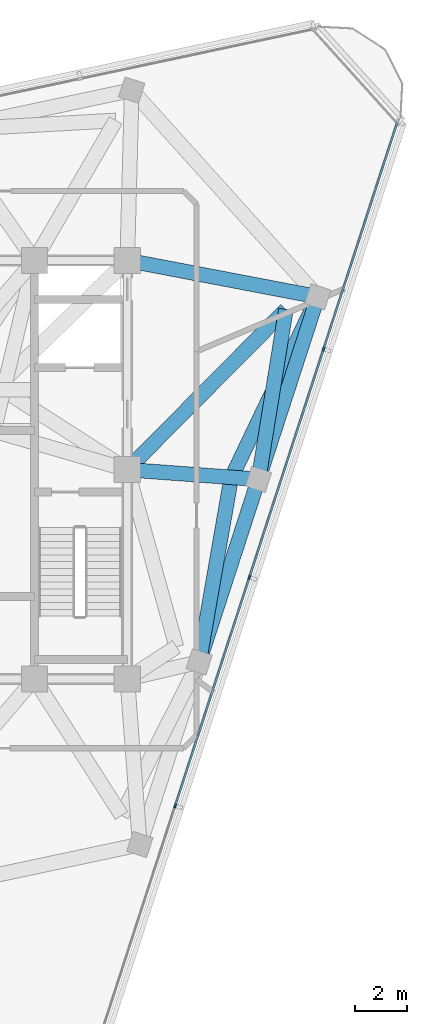
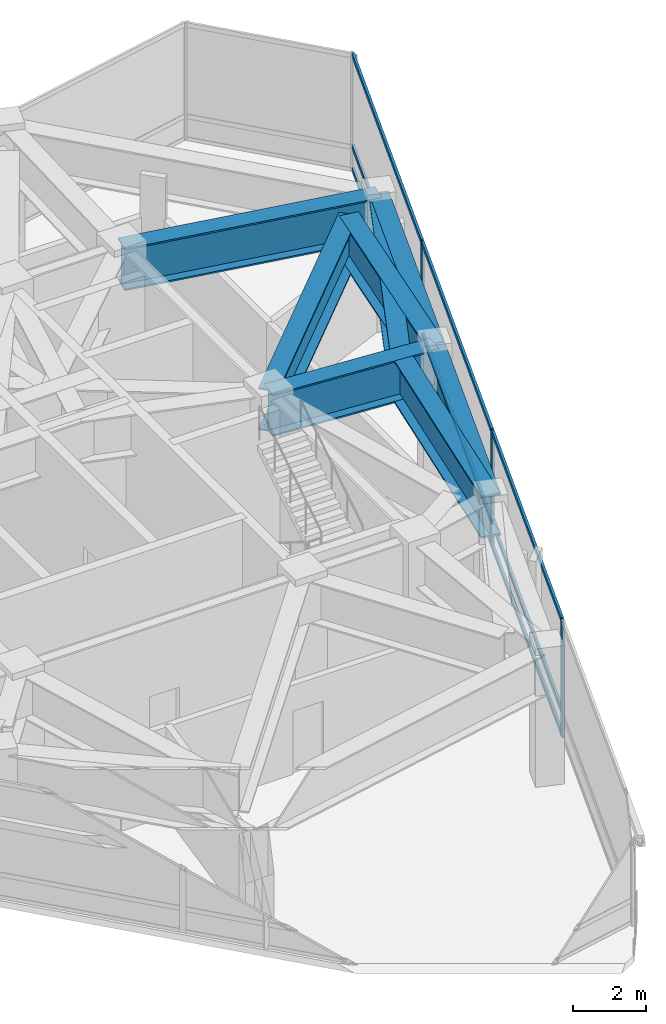
# One storey, part 4 of 10: 12 members, 8 beams, 1 element without a shape of its own.
"""IFC4 building model written with IfcOpenShell, lengths in metres."""

from ifc_helpers import new_model, si_unit, direction, frame, origin, origin_2d, place, context, subcontext, project, spatial, rectangle, i_section, extrude, material, layer, layer_set, material_profile, profile_set, type_object, element, aggregate, save


model = new_model("IFC4")

# Units and contexts
model_context = context("Model", 3, precision=1e-05, world=origin(), true_north=direction((0.0, 1.0)))
body_context = subcontext(model_context, "Body", "Model", "MODEL_VIEW")
ifc_project = project(units=[si_unit("LENGTHUNIT", "METRE"), si_unit("AREAUNIT", "SQUARE_METRE"), si_unit("VOLUMEUNIT", "CUBIC_METRE"), si_unit("PLANEANGLEUNIT", "RADIAN"), si_unit("MASSUNIT", "GRAM", prefix="KILO")], contexts=[model_context])

# Site, building, storey
site_placement = place(None, origin())
site = spatial("IfcSite", under=ifc_project, at=site_placement, CompositionType="ELEMENT")
building_placement = place(site_placement, origin())
building = spatial("IfcBuilding", under=site, at=building_placement, Name="Terralouvre Media Tower", CompositionType="ELEMENT")
storey_placement = place(building_placement, frame((0.0, 0.0, 317.39990234375)))
storey = spatial("IfcBuildingStorey", under=building, at=storey_placement, Name="L82", CompositionType="ELEMENT", Elevation=317.39990234375)

# Curtain wall, members
ifc_material_1 = material(Name="Low-iron laminated double glazing with solar-control coating", Category="glass")
ifc_layer = layer(ifc_material_1, 0.1650390625, Name="Faceted Glass-Point Crown Curtain Wall CW-06")
ifc_layer_set = layer_set([ifc_layer], Name="Low-iron laminated double glazing with solar-control coating")
curtain_wall_type = type_object("IfcCurtainWallType", Name="Faceted Glass-Point Crown Curtain Wall CW-06", PredefinedType="NOTDEFINED", material=ifc_layer_set)
curtain_wall_placement = place(storey_placement, origin())
curtain_wall = element("IfcCurtainWall", 1, at=curtain_wall_placement, inside=storey, type_object=curtain_wall_type, Name="L82 Facade Curtain Wall F0", PredefinedType="NOTDEFINED")
ifc_material_2 = material(Name="Anodised extruded aluminium 6063-T6", Category="aluminium")
ifc_material_profile_1 = material_profile(ifc_material_2, rectangle(XDim=0.074951171875, YDim=0.14990234375, at=origin_2d()), Name="ALU 75x150")
ifc_profile_set_1 = profile_set([ifc_material_profile_1], Name="Anodised extruded aluminium 6063-T6")
member_type_1 = type_object("IfcMemberType", Name="Curtain-Wall Horizontal Transom TR-150", PredefinedType="USERDEFINED", material=ifc_profile_set_1)
member_1_placement = place(storey_placement, frame((9.8486328125, -12.807861328125, 0.03759765625), z_axis=(0.309007209409, 0.951059695568, 0.0), x_axis=(-0.951059695568, 0.309007209409, 0.0)))
member_1 = element("IfcMember", 2, at=member_1_placement, type_object=member_type_1, Name="CW-06 transom 2.1", ObjectType="TRANSOM", PredefinedType="USERDEFINED", context=body_context, shape_type="SweptSolid", body=[
    extrude(rectangle(XDim=0.074951171875, YDim=0.14990234375, at=origin_2d()), origin(), (0.0, 0.0, 1.0), 9.10009765625),
])
member_2_placement = place(storey_placement, frame((9.8486328125, -12.807861328125, 0.800048828125), z_axis=(0.309007209409, 0.951059695568, 0.0), x_axis=(-0.951059695568, 0.309007209409, 0.0)))
member_2 = element("IfcMember", 3, at=member_2_placement, type_object=member_type_1, Name="CW-06 transom 2.2", ObjectType="TRANSOM", PredefinedType="USERDEFINED", context=body_context, shape_type="SweptSolid", body=[
    extrude(rectangle(XDim=0.074951171875, YDim=0.14990234375, at=origin_2d()), origin(), (0.0, 0.0, 1.0), 9.10009765625),
])
member_3_placement = place(storey_placement, frame((9.8486328125, -12.807861328125, 3.842529296875), z_axis=(0.309007209409, 0.951059695568, 0.0), x_axis=(-0.951059695568, 0.309007209409, 0.0)))
member_3 = element("IfcMember", 4, at=member_3_placement, type_object=member_type_1, Name="CW-06 transom 2.3", ObjectType="TRANSOM", PredefinedType="USERDEFINED", context=body_context, shape_type="SweptSolid", body=[
    extrude(rectangle(XDim=0.074951171875, YDim=0.14990234375, at=origin_2d()), origin(), (0.0, 0.0, 1.0), 9.10009765625),
])
member_4_placement = place(storey_placement, frame((12.683837890625, -4.081787109375, 0.03759765625), z_axis=(0.309015093986, 0.951057133767, 0.0), x_axis=(-0.951057133767, 0.309015093986, 0.0)))
member_4 = element("IfcMember", 5, at=member_4_placement, type_object=member_type_1, Name="CW-06 transom 3.1", ObjectType="TRANSOM", PredefinedType="USERDEFINED", context=body_context, shape_type="SweptSolid", body=[
    extrude(rectangle(XDim=0.074951171875, YDim=0.14990234375, at=origin_2d()), origin(), (0.0, 0.0, 1.0), 9.099853515625),
])
member_5_placement = place(storey_placement, frame((12.683837890625, -4.081787109375, 0.800048828125), z_axis=(0.309015093986, 0.951057133767, 0.0), x_axis=(-0.951057133767, 0.309015093986, 0.0)))
member_5 = element("IfcMember", 6, at=member_5_placement, type_object=member_type_1, Name="CW-06 transom 3.2", ObjectType="TRANSOM", PredefinedType="USERDEFINED", context=body_context, shape_type="SweptSolid", body=[
    extrude(rectangle(XDim=0.074951171875, YDim=0.14990234375, at=origin_2d()), origin(), (0.0, 0.0, 1.0), 9.099853515625),
])
member_6_placement = place(storey_placement, frame((12.683837890625, -4.081787109375, 3.842529296875), z_axis=(0.309015093986, 0.951057133767, 0.0), x_axis=(-0.951057133767, 0.309015093986, 0.0)))
member_6 = element("IfcMember", 7, at=member_6_placement, type_object=member_type_1, Name="CW-06 transom 3.3", ObjectType="TRANSOM", PredefinedType="USERDEFINED", context=body_context, shape_type="SweptSolid", body=[
    extrude(rectangle(XDim=0.074951171875, YDim=0.14990234375, at=origin_2d()), origin(), (0.0, 0.0, 1.0), 9.099853515625),
])
member_7_placement = place(storey_placement, frame((15.51904296875, 4.64404296875, 0.03759765625), z_axis=(0.309017848283, 0.951056238843, 0.0), x_axis=(-0.951056238843, 0.309017848283, 0.0)))
member_7 = element("IfcMember", 8, at=member_7_placement, type_object=member_type_1, Name="CW-06 transom 4.1", ObjectType="TRANSOM", PredefinedType="USERDEFINED", context=body_context, shape_type="SweptSolid", body=[
    extrude(rectangle(XDim=0.074951171875, YDim=0.14990234375, at=origin_2d()), origin(), (0.0, 0.0, 1.0), 9.062744140625),
])
member_8_placement = place(storey_placement, frame((15.51904296875, 4.64404296875, 0.800048828125), z_axis=(0.309017848283, 0.951056238843, 0.0), x_axis=(-0.951056238843, 0.309017848283, 0.0)))
member_8 = element("IfcMember", 9, at=member_8_placement, type_object=member_type_1, Name="CW-06 transom 4.2", ObjectType="TRANSOM", PredefinedType="USERDEFINED", context=body_context, shape_type="SweptSolid", body=[
    extrude(rectangle(XDim=0.074951171875, YDim=0.14990234375, at=origin_2d()), origin(), (0.0, 0.0, 1.0), 9.062744140625),
])
member_9_placement = place(storey_placement, frame((15.51904296875, 4.64404296875, 3.842529296875), z_axis=(0.309017848283, 0.951056238843, 0.0), x_axis=(-0.951056238843, 0.309017848283, 0.0)))
member_9 = element("IfcMember", 10, at=member_9_placement, type_object=member_type_1, Name="CW-06 transom 4.3", ObjectType="TRANSOM", PredefinedType="USERDEFINED", context=body_context, shape_type="SweptSolid", body=[
    extrude(rectangle(XDim=0.074951171875, YDim=0.14990234375, at=origin_2d()), origin(), (0.0, 0.0, 1.0), 9.062744140625),
])
ifc_material_3 = material(Name="Anodised extruded aluminium 6063-T6", Category="aluminium")
ifc_material_profile_2 = material_profile(ifc_material_3, rectangle(XDim=0.074951171875, YDim=0.179931640625, at=origin_2d()), Name="ALU 75x180")
ifc_profile_set_2 = profile_set([ifc_material_profile_2], Name="Anodised extruded aluminium 6063-T6")
member_type_2 = type_object("IfcMemberType", Name="Curtain-Wall Vertical Mullion ML-180", PredefinedType="MULLION", material=ifc_profile_set_2)
member_10_placement = place(storey_placement, frame((9.8369140625, -12.843505859375, 0.0), z_axis=(0.0, 0.0, 1.0), x_axis=(-0.951056481023, 0.309017102933, 0.0)))
member_10 = element("IfcMember", 11, at=member_10_placement, type_object=member_type_2, Name="CW-06 mullion 2", PredefinedType="MULLION", context=body_context, shape_type="SweptSolid", body=[
    extrude(rectangle(XDim=0.074951171875, YDim=0.179931640625, at=origin_2d()), origin(), (0.0, 0.0, 1.0), 3.880126953125),
])
member_11_placement = place(storey_placement, frame((12.672119140625, -4.117431640625, 0.0), z_axis=(0.0, 0.0, 1.0), x_axis=(-0.951056481023, 0.309017102933, 0.0)))
member_11 = element("IfcMember", 12, at=member_11_placement, type_object=member_type_2, Name="CW-06 mullion 3", PredefinedType="MULLION", context=body_context, shape_type="SweptSolid", body=[
    extrude(rectangle(XDim=0.074951171875, YDim=0.179931640625, at=origin_2d()), origin(), (0.0, 0.0, 1.0), 3.880126953125),
])
member_12_placement = place(storey_placement, frame((15.507568359375, 4.6083984375, 0.0), z_axis=(0.0, 0.0, 1.0), x_axis=(-0.951056481023, 0.309017102933, 0.0)))
member_12 = element("IfcMember", 13, at=member_12_placement, type_object=member_type_2, Name="CW-06 mullion 4", PredefinedType="MULLION", context=body_context, shape_type="SweptSolid", body=[
    extrude(rectangle(XDim=0.074951171875, YDim=0.179931640625, at=origin_2d()), origin(), (0.0, 0.0, 1.0), 3.880126953125),
])
aggregate(curtain_wall, [member_10, member_11, member_12, member_1, member_2, member_3, member_4, member_5, member_6, member_7, member_8, member_9])

# Beams
ifc_material_4 = material(Name="Structural steel S460M", Category="steel")
ifc_material_profile_3 = material_profile(ifc_material_4, i_section(OverallWidth=0.56005859375, OverallDepth=1.39990234375, WebThickness=0.031982421875, FlangeThickness=0.050048828125, at=origin_2d()), Name="TG 1400x560")
ifc_profile_set_3 = profile_set([ifc_material_profile_3], Name="Structural steel S460M")
beam_type = type_object("IfcBeamType", Name="Welded Transfer Girder TG-1400 (TG 1400x560)", PredefinedType="USERDEFINED", material=ifc_profile_set_3)
beam_1_placement = place(storey_placement, frame((10.748779296875, -7.351318359375, 3.68017578125), z_axis=(0.309004091329, 0.951060708652, 0.0), x_axis=(-0.951060708652, 0.309004091329, 0.0)))
element("IfcBeam", 14, at=beam_1_placement, inside=storey, type_object=beam_type, Name="L82 Framing Beam BM-L82-PR06", ObjectType="TRANSFER GIRDER", PredefinedType="USERDEFINED", context=body_context, shape_type="SweptSolid", body=[
    extrude(i_section(OverallWidth=0.56005859375, OverallDepth=1.39990234375, WebThickness=0.031982421875, FlangeThickness=0.050048828125, at=origin_2d()), origin(), (0.0, 0.0, 1.0), 7.33984375),
])
beam_2_placement = place(storey_placement, frame((13.016845703125, -0.37060546875, 3.68017578125), z_axis=(0.309034176903, 0.951050933182, 0.0), x_axis=(-0.951050933182, 0.309034176903, 0.0)))
element("IfcBeam", 15, at=beam_2_placement, inside=storey, type_object=beam_type, Name="L82 Framing Beam BM-L82-PR07", ObjectType="TRANSFER GIRDER", PredefinedType="USERDEFINED", context=body_context, shape_type="SweptSolid", body=[
    extrude(i_section(OverallWidth=0.56005859375, OverallDepth=1.39990234375, WebThickness=0.031982421875, FlangeThickness=0.050048828125, at=origin_2d()), origin(), (0.0, 0.0, 1.0), 7.340087890625),
])
beam_3_placement = place(storey_placement, frame((8.0, 0.0, 3.68017578125), z_axis=(0.997282565397, -0.073671464999, 0.0), x_axis=(0.073671464999, 0.997282565397, 0.0)))
element("IfcBeam", 16, at=beam_3_placement, inside=storey, type_object=beam_type, Name="L82 Framing Beam BM-L82-RD07", ObjectType="TRANSFER GIRDER", PredefinedType="USERDEFINED", context=body_context, shape_type="SweptSolid", body=[
    extrude(i_section(OverallWidth=0.56005859375, OverallDepth=1.39990234375, WebThickness=0.031982421875, FlangeThickness=0.050048828125, at=origin_2d()), origin(), (0.0, 0.0, 1.0), 5.030517578125),
])
beam_4_placement = place(storey_placement, frame((8.0, 8.0, 3.68017578125), z_axis=(0.982282914837, -0.1874040427, 0.0), x_axis=(0.1874040427, 0.982282914837, 0.0)))
element("IfcBeam", 17, at=beam_4_placement, inside=storey, type_object=beam_type, Name="L82 Framing Beam BM-L82-RD08", ObjectType="TRANSFER GIRDER", PredefinedType="USERDEFINED", context=body_context, shape_type="SweptSolid", body=[
    extrude(i_section(OverallWidth=0.56005859375, OverallDepth=1.39990234375, WebThickness=0.031982421875, FlangeThickness=0.050048828125, at=origin_2d()), origin(), (0.0, 0.0, 1.0), 7.41650390625),
])
beam_5_placement = place(storey_placement, frame((11.971435546875, -0.3251953125, 3.68017578125), z_axis=(-0.171439413502, -0.985194664773, 0.0), x_axis=(0.985194664773, -0.171439413502, 0.0)))
element("IfcBeam", 18, at=beam_5_placement, inside=storey, type_object=beam_type, Name="L82 Framing Beam BM-L82-TR03S1", ObjectType="TRANSFER GIRDER", PredefinedType="USERDEFINED", context=body_context, shape_type="SweptSolid", body=[
    extrude(i_section(OverallWidth=0.56005859375, OverallDepth=1.39990234375, WebThickness=0.031982421875, FlangeThickness=0.050048828125, at=origin_2d()), origin(), (0.0, 0.0, 1.0), 7.131591796875),
])
beam_6_placement = place(storey_placement, frame((11.971435546875, -0.3251953125, 3.68017578125), z_axis=(0.43112053791, 0.902294343212, 0.0), x_axis=(-0.902294343212, 0.43112053791, 0.0)))
element("IfcBeam", 19, at=beam_6_placement, inside=storey, type_object=beam_type, Name="L82 Framing Beam BM-L82-TR03S2", ObjectType="TRANSFER GIRDER", PredefinedType="USERDEFINED", context=body_context, shape_type="SweptSolid", body=[
    extrude(i_section(OverallWidth=0.56005859375, OverallDepth=1.39990234375, WebThickness=0.031982421875, FlangeThickness=0.050048828125, at=origin_2d()), origin(), (0.0, 0.0, 1.0), 7.686279296875),
])
beam_7_placement = place(storey_placement, frame((14.066650390625, 6.122802734375, 3.68017578125), z_axis=(-0.159600014499, -0.9871817641, 0.0), x_axis=(0.9871817641, -0.159600014499, 0.0)))
element("IfcBeam", 20, at=beam_7_placement, inside=storey, type_object=beam_type, Name="L82 Framing Beam BM-L82-TR04S1", ObjectType="TRANSFER GIRDER", PredefinedType="USERDEFINED", context=body_context, shape_type="SweptSolid", body=[
    extrude(i_section(OverallWidth=0.56005859375, OverallDepth=1.39990234375, WebThickness=0.031982421875, FlangeThickness=0.050048828125, at=origin_2d()), origin(), (0.0, 0.0, 1.0), 6.57763671875),
])
beam_8_placement = place(storey_placement, frame((14.066650390625, 6.122802734375, 3.68017578125), z_axis=(-0.703841931262, -0.710356625785, 0.0), x_axis=(0.710356625785, -0.703841931262, 0.0)))
element("IfcBeam", 21, at=beam_8_placement, inside=storey, type_object=beam_type, Name="L82 Framing Beam BM-L82-TR04S2", ObjectType="TRANSFER GIRDER", PredefinedType="USERDEFINED", context=body_context, shape_type="SweptSolid", body=[
    extrude(i_section(OverallWidth=0.56005859375, OverallDepth=1.39990234375, WebThickness=0.031982421875, FlangeThickness=0.050048828125, at=origin_2d()), origin(), (0.0, 0.0, 1.0), 8.619384765625),
])

save(model, "model.ifc")
